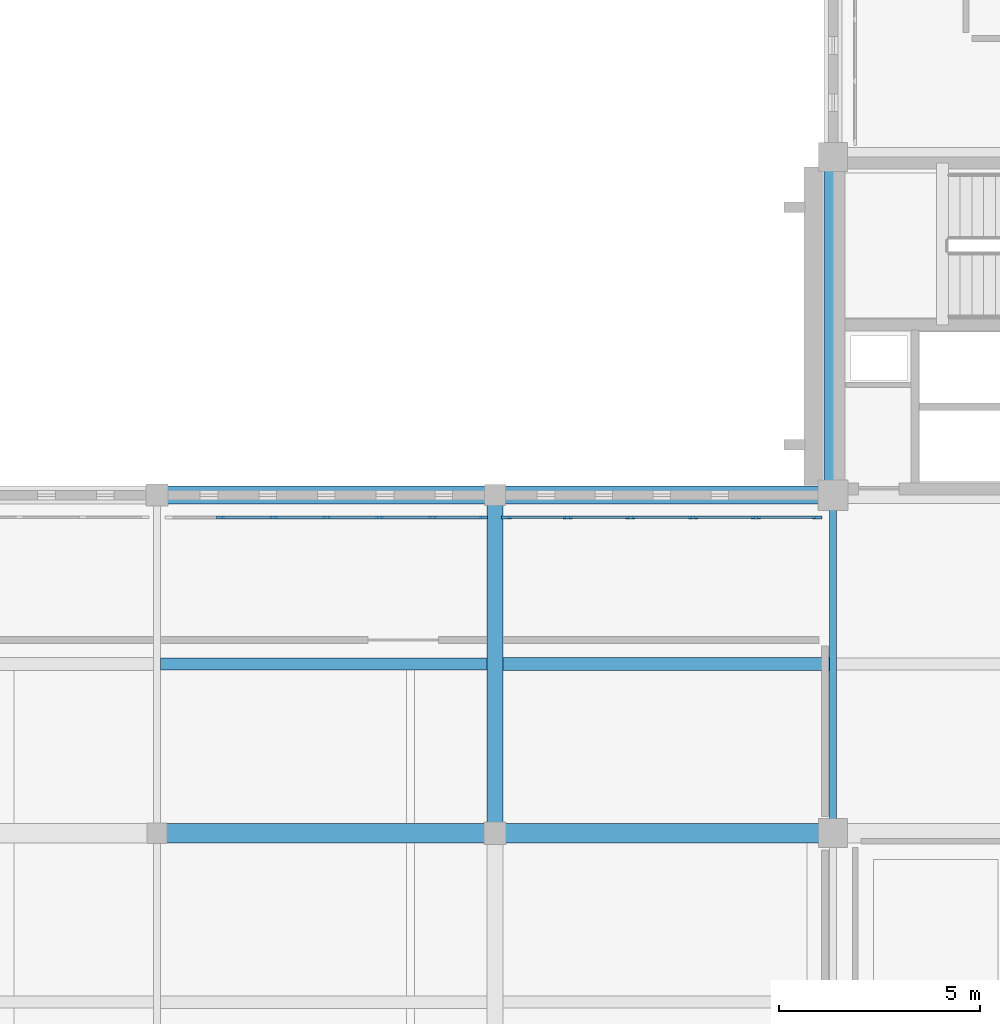
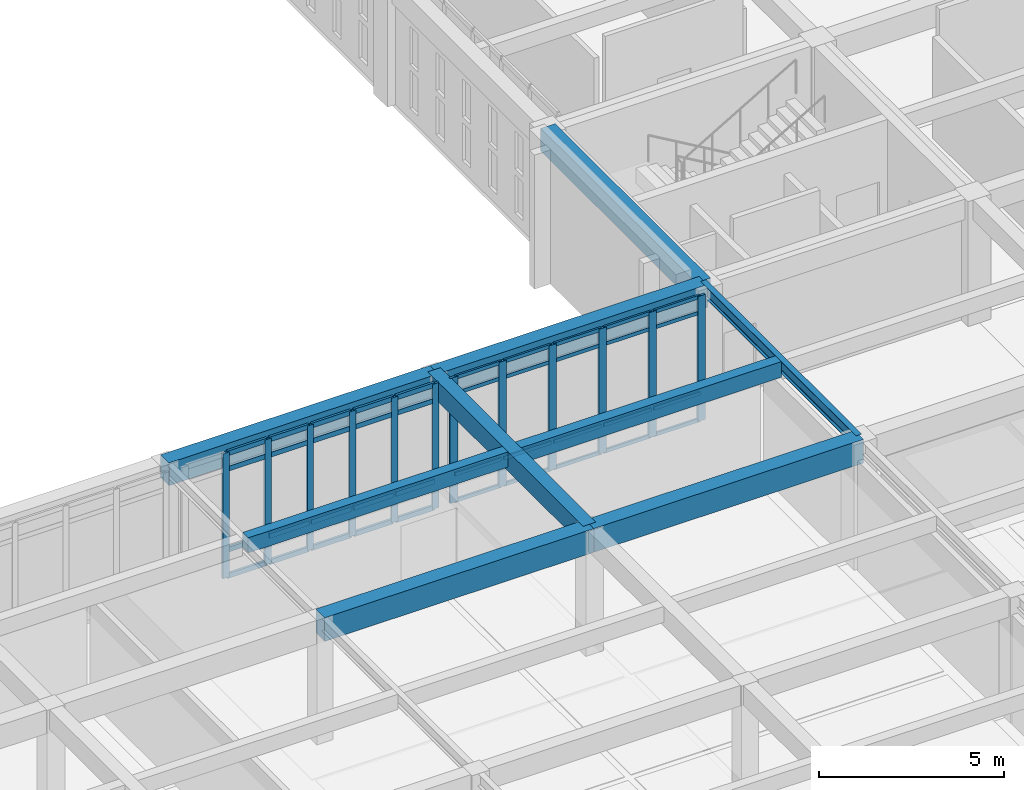
# One storey, part 63 of 192: 52 members, 9 beams, 2 elements without a shape of their own.
"""IFC4 building model written with IfcOpenShell, lengths in metres."""

from ifc_helpers import new_model, si_unit, direction, frame, origin, origin_2d, place, context, subcontext, project, spatial, rectangle, i_section, extrude, material, layer, layer_set, material_profile, profile_set, type_object, element, aggregate, save


model = new_model("IFC4")

# Units and contexts
model_context = context("Model", 3, precision=1e-05, world=origin(), true_north=direction((0.0, 1.0)))
body_context = subcontext(model_context, "Body", "Model", "MODEL_VIEW")
ifc_project = project(units=[si_unit("LENGTHUNIT", "METRE"), si_unit("AREAUNIT", "SQUARE_METRE"), si_unit("VOLUMEUNIT", "CUBIC_METRE"), si_unit("PLANEANGLEUNIT", "RADIAN"), si_unit("MASSUNIT", "GRAM", prefix="KILO")], contexts=[model_context])

# Site, building, storey
site_placement = place(None, origin())
site = spatial("IfcSite", under=ifc_project, at=site_placement, CompositionType="ELEMENT")
building_placement = place(site_placement, origin())
building = spatial("IfcBuilding", under=site, at=building_placement, Name="Kveldsbrygga Polytechnic", CompositionType="ELEMENT")
storey_placement = place(building_placement, frame((0.0, 0.0, 5.43994140625)))
storey = spatial("IfcBuildingStorey", under=building, at=storey_placement, Name="L01", CompositionType="ELEMENT", Elevation=5.43994140625)

# Beams
ifc_material_1 = material(Name="Concrete C35/45", Category="concrete")
ifc_material_profile_1 = material_profile(ifc_material_1, rectangle(XDim=0.39990234375, YDim=0.64990234375, at=origin_2d()), Name="RC 400x650")
ifc_profile_set_1 = profile_set([ifc_material_profile_1], Name="Concrete C35/45")
beam_type_1 = type_object("IfcBeamType", Name="BM-RC-400x650", PredefinedType="BEAM", material=ifc_profile_set_1)
beam_1_placement = place(storey_placement, frame((117.60009765625, 16.800048828125, 3.795166015625), z_axis=(0.0, 1.0, 0.0), x_axis=(-1.0, 0.0, 0.0)))
element("IfcBeam", 1, at=beam_1_placement, inside=storey, type_object=beam_type_1, Name="Primary Beam BMY-L01-14-02to03", PredefinedType="BEAM", context=body_context, shape_type="SweptSolid", body=[
    extrude(rectangle(XDim=0.39990234375, YDim=0.64990234375, at=origin_2d()), origin(), (0.0, 0.0, 1.0), 8.39990234375),
])
ifc_material_profile_2 = material_profile(ifc_material_1, rectangle(XDim=0.449951171875, YDim=0.75, at=origin_2d()), Name="RC 450x750")
ifc_profile_set_2 = profile_set([ifc_material_profile_2], Name="Concrete C35/45")
beam_type_2 = type_object("IfcBeamType", Name="BM-RC-450x750", PredefinedType="BEAM", material=ifc_profile_set_2)
beam_2_placement = place(storey_placement, frame((109.199951171875, 25.199951171875, 3.7451171875), z_axis=(1.0, 0.0, 0.0), x_axis=(0.0, 1.0, 0.0)))
element("IfcBeam", 2, at=beam_2_placement, inside=storey, type_object=beam_type_2, Name="Primary Beam BMX-L01-13to14-03", PredefinedType="BEAM", context=body_context, shape_type="SweptSolid", body=[
    extrude(rectangle(XDim=0.449951171875, YDim=0.75, at=origin_2d()), origin(), (0.0, 0.0, 1.0), 8.400146484375),
])
beam_3_placement = place(storey_placement, frame((117.60009765625, 25.199951171875, 3.7451171875), z_axis=(1.0, 0.0, 0.0), x_axis=(0.0, 1.0, 0.0)))
element("IfcBeam", 3, at=beam_3_placement, inside=storey, type_object=beam_type_2, Name="Primary Beam BMX-L01-14to15-03", PredefinedType="BEAM", context=body_context, shape_type="SweptSolid", body=[
    extrude(rectangle(XDim=0.449951171875, YDim=0.75, at=origin_2d()), origin(), (0.0, 0.0, 1.0), 8.39990234375),
])
beam_4_placement = place(storey_placement, frame((126.0, 25.199951171875, 3.7451171875), z_axis=(0.0, 1.0, 0.0), x_axis=(-1.0, 0.0, 0.0)))
element("IfcBeam", 4, at=beam_4_placement, inside=storey, type_object=beam_type_2, Name="Primary Beam BMY-L01-15-03to04", PredefinedType="BEAM", context=body_context, shape_type="SweptSolid", body=[
    extrude(rectangle(XDim=0.449951171875, YDim=0.75, at=origin_2d()), origin(), (0.0, 0.0, 1.0), 8.400146484375),
])
ifc_material_profile_3 = material_profile(ifc_material_1, rectangle(XDim=0.47998046875, YDim=0.780029296875, at=origin_2d()), Name="RC 480x780")
ifc_profile_set_3 = profile_set([ifc_material_profile_3], Name="Concrete C35/45")
beam_type_3 = type_object("IfcBeamType", Name="BM-RC-480x780", PredefinedType="BEAM", material=ifc_profile_set_3)
beam_5_placement = place(storey_placement, frame((109.199951171875, 16.800048828125, 3.72998046875), z_axis=(1.0, 0.0, 0.0), x_axis=(0.0, 1.0, 0.0)))
element("IfcBeam", 5, at=beam_5_placement, inside=storey, type_object=beam_type_3, Name="Primary Beam BMX-L01-13to14-02", PredefinedType="BEAM", context=body_context, shape_type="SweptSolid", body=[
    extrude(rectangle(XDim=0.47998046875, YDim=0.780029296875, at=origin_2d()), origin(), (0.0, 0.0, 1.0), 8.400146484375),
])
beam_6_placement = place(storey_placement, frame((117.60009765625, 16.800048828125, 3.72998046875), z_axis=(1.0, 0.0, 0.0), x_axis=(0.0, 1.0, 0.0)))
element("IfcBeam", 6, at=beam_6_placement, inside=storey, type_object=beam_type_3, Name="Primary Beam BMX-L01-14to15-02", PredefinedType="BEAM", context=body_context, shape_type="SweptSolid", body=[
    extrude(rectangle(XDim=0.47998046875, YDim=0.780029296875, at=origin_2d()), origin(), (0.0, 0.0, 1.0), 8.39990234375),
])
ifc_material_2 = material(Name="Steel S355", Category="steel")
ifc_material_profile_4 = material_profile(ifc_material_2, i_section(OverallWidth=0.179931640625, OverallDepth=0.39990234375, WebThickness=0.008544921875, FlangeThickness=0.013427734375, FilletRadius=0.02099609375, at=origin_2d()), Name="IPE 400")
ifc_profile_set_4 = profile_set([ifc_material_profile_4], Name="Steel S355")
beam_type_4 = type_object("IfcBeamType", Name="BM-STL-IPE400", PredefinedType="BEAM", material=ifc_profile_set_4)
beam_7_placement = place(storey_placement, frame((126.0, 16.800048828125, 3.920166015625), z_axis=(0.0, 1.0, 0.0), x_axis=(-1.0, 0.0, 0.0)))
element("IfcBeam", 7, at=beam_7_placement, inside=storey, type_object=beam_type_4, Name="Primary Beam BMY-L01-15-02to03", PredefinedType="BEAM", context=body_context, shape_type="SweptSolid", body=[
    extrude(i_section(OverallWidth=0.179931640625, OverallDepth=0.39990234375, WebThickness=0.008544921875, FlangeThickness=0.013427734375, FilletRadius=0.02099609375, at=origin_2d()), origin(), (0.0, 0.0, 1.0), 8.39990234375),
])

# Curtain wall, members
ifc_material_3 = material(Name="Anodised aluminium AW-6060", Category="aluminium")
ifc_layer_1 = layer(ifc_material_3, 0.159912109375)
ifc_layer_set_1 = layer_set([ifc_layer_1], Name="Anodised aluminium AW-6060")
curtain_wall_type_1 = type_object("IfcCurtainWallType", Name="CW-CLER-C", PredefinedType="USERDEFINED", material=ifc_layer_set_1)
curtain_wall_1_placement = place(storey_placement, origin())
curtain_wall_1 = element("IfcCurtainWall", 8, at=curtain_wall_1_placement, inside=storey, type_object=curtain_wall_type_1, Name="Curtain Wall CW-L01-X-13-03", ObjectType="STICK CURTAIN WALL", PredefinedType="USERDEFINED")
ifc_material_profile_5 = material_profile(ifc_material_3, rectangle(XDim=0.074951171875, YDim=0.199951171875, at=origin_2d()), Name="ALU 75x200")
ifc_profile_set_5 = profile_set([ifc_material_profile_5], Name="Anodised aluminium AW-6060")
member_type_1 = type_object("IfcMemberType", Name="CW-MUL-200", PredefinedType="MULLION", material=ifc_profile_set_5)
member_1_placement = place(storey_placement, frame((110.77587890625, 24.64990234375, 0.0), z_axis=(0.0, 0.0, 1.0), x_axis=(0.0, 1.0, 0.0)))
member_1 = element("IfcMember", 9, at=member_1_placement, type_object=member_type_1, Name="CW-03 mullion 2", PredefinedType="MULLION", context=body_context, shape_type="SweptSolid", body=[
    extrude(rectangle(XDim=0.074951171875, YDim=0.199951171875, at=origin_2d()), origin(), (0.0, 0.0, 1.0), 4.1201171875),
])
member_2_placement = place(storey_placement, frame((112.091552734375, 24.64990234375, 0.0), z_axis=(0.0, 0.0, 1.0), x_axis=(0.0, 1.0, 0.0)))
member_2 = element("IfcMember", 10, at=member_2_placement, type_object=member_type_1, Name="CW-03 mullion 3", PredefinedType="MULLION", context=body_context, shape_type="SweptSolid", body=[
    extrude(rectangle(XDim=0.074951171875, YDim=0.199951171875, at=origin_2d()), origin(), (0.0, 0.0, 1.0), 4.1201171875),
])
member_3_placement = place(storey_placement, frame((113.407470703125, 24.64990234375, 0.0), z_axis=(0.0, 0.0, 1.0), x_axis=(0.0, 1.0, 0.0)))
member_3 = element("IfcMember", 11, at=member_3_placement, type_object=member_type_1, Name="CW-03 mullion 4", PredefinedType="MULLION", context=body_context, shape_type="SweptSolid", body=[
    extrude(rectangle(XDim=0.074951171875, YDim=0.199951171875, at=origin_2d()), origin(), (0.0, 0.0, 1.0), 4.1201171875),
])
member_4_placement = place(storey_placement, frame((114.723388671875, 24.64990234375, 0.0), z_axis=(0.0, 0.0, 1.0), x_axis=(0.0, 1.0, 0.0)))
member_4 = element("IfcMember", 12, at=member_4_placement, type_object=member_type_1, Name="CW-03 mullion 5", PredefinedType="MULLION", context=body_context, shape_type="SweptSolid", body=[
    extrude(rectangle(XDim=0.074951171875, YDim=0.199951171875, at=origin_2d()), origin(), (0.0, 0.0, 1.0), 4.1201171875),
])
member_5_placement = place(storey_placement, frame((116.0390625, 24.64990234375, 0.0), z_axis=(0.0, 0.0, 1.0), x_axis=(0.0, 1.0, 0.0)))
member_5 = element("IfcMember", 13, at=member_5_placement, type_object=member_type_1, Name="CW-03 mullion 6", PredefinedType="MULLION", context=body_context, shape_type="SweptSolid", body=[
    extrude(rectangle(XDim=0.074951171875, YDim=0.199951171875, at=origin_2d()), origin(), (0.0, 0.0, 1.0), 4.1201171875),
])
member_6_placement = place(storey_placement, frame((117.3173828125, 24.64990234375, 0.0), z_axis=(0.0, 0.0, 1.0), x_axis=(0.0, 1.0, 0.0)))
member_6 = element("IfcMember", 14, at=member_6_placement, type_object=member_type_1, Name="CW-03 mullion 7", PredefinedType="MULLION", context=body_context, shape_type="SweptSolid", body=[
    extrude(rectangle(XDim=0.074951171875, YDim=0.199951171875, at=origin_2d()), origin(), (0.0, 0.0, 1.0), 4.1201171875),
])

ifc_layer_2 = layer(ifc_material_3, 0.179931640625)
ifc_layer_set_2 = layer_set([ifc_layer_2], Name="Anodised aluminium AW-6060")
curtain_wall_type_2 = type_object("IfcCurtainWallType", Name="CW-LANC-D", PredefinedType="USERDEFINED", material=ifc_layer_set_2)
curtain_wall_2_placement = place(storey_placement, origin())
curtain_wall_2 = element("IfcCurtainWall", 15, at=curtain_wall_2_placement, inside=storey, type_object=curtain_wall_type_2, Name="Curtain Wall CW-L01-X-14-03", ObjectType="UNITISED CURTAIN WALL", PredefinedType="USERDEFINED")
ifc_material_profile_6 = material_profile(ifc_material_3, rectangle(XDim=0.074951171875, YDim=0.239990234375, at=origin_2d()), Name="ALU 75x240")
ifc_profile_set_6 = profile_set([ifc_material_profile_6], Name="Anodised aluminium AW-6060")
member_type_2 = type_object("IfcMemberType", Name="CW-MUL-240", PredefinedType="MULLION", material=ifc_profile_set_6)
member_7_placement = place(storey_placement, frame((117.882568359375, 24.64990234375, 0.0), z_axis=(0.0, 0.0, 1.0), x_axis=(0.0, 1.0, 0.0)))
member_7 = element("IfcMember", 16, at=member_7_placement, type_object=member_type_2, Name="CW-04 mullion 1", PredefinedType="MULLION", context=body_context, shape_type="SweptSolid", body=[
    extrude(rectangle(XDim=0.074951171875, YDim=0.239990234375, at=origin_2d()), origin(), (0.0, 0.0, 1.0), 4.1201171875),
])
member_8_placement = place(storey_placement, frame((119.404052734375, 24.64990234375, 0.0), z_axis=(0.0, 0.0, 1.0), x_axis=(0.0, 1.0, 0.0)))
member_8 = element("IfcMember", 17, at=member_8_placement, type_object=member_type_2, Name="CW-04 mullion 2", PredefinedType="MULLION", context=body_context, shape_type="SweptSolid", body=[
    extrude(rectangle(XDim=0.074951171875, YDim=0.239990234375, at=origin_2d()), origin(), (0.0, 0.0, 1.0), 4.1201171875),
])
member_9_placement = place(storey_placement, frame((120.962890625, 24.64990234375, 0.0), z_axis=(0.0, 0.0, 1.0), x_axis=(0.0, 1.0, 0.0)))
member_9 = element("IfcMember", 18, at=member_9_placement, type_object=member_type_2, Name="CW-04 mullion 3", PredefinedType="MULLION", context=body_context, shape_type="SweptSolid", body=[
    extrude(rectangle(XDim=0.074951171875, YDim=0.239990234375, at=origin_2d()), origin(), (0.0, 0.0, 1.0), 4.1201171875),
])
member_10_placement = place(storey_placement, frame((122.52197265625, 24.64990234375, 0.0), z_axis=(0.0, 0.0, 1.0), x_axis=(0.0, 1.0, 0.0)))
member_10 = element("IfcMember", 19, at=member_10_placement, type_object=member_type_2, Name="CW-04 mullion 4", PredefinedType="MULLION", context=body_context, shape_type="SweptSolid", body=[
    extrude(rectangle(XDim=0.074951171875, YDim=0.239990234375, at=origin_2d()), origin(), (0.0, 0.0, 1.0), 4.1201171875),
])
member_11_placement = place(storey_placement, frame((124.0810546875, 24.64990234375, 0.0), z_axis=(0.0, 0.0, 1.0), x_axis=(0.0, 1.0, 0.0)))
member_11 = element("IfcMember", 20, at=member_11_placement, type_object=member_type_2, Name="CW-04 mullion 5", PredefinedType="MULLION", context=body_context, shape_type="SweptSolid", body=[
    extrude(rectangle(XDim=0.074951171875, YDim=0.239990234375, at=origin_2d()), origin(), (0.0, 0.0, 1.0), 4.1201171875),
])
member_12_placement = place(storey_placement, frame((125.6025390625, 24.64990234375, 0.0), z_axis=(0.0, 0.0, 1.0), x_axis=(0.0, 1.0, 0.0)))
member_12 = element("IfcMember", 21, at=member_12_placement, type_object=member_type_2, Name="CW-04 mullion 6", PredefinedType="MULLION", context=body_context, shape_type="SweptSolid", body=[
    extrude(rectangle(XDim=0.074951171875, YDim=0.239990234375, at=origin_2d()), origin(), (0.0, 0.0, 1.0), 4.1201171875),
])
ifc_material_profile_7 = material_profile(ifc_material_3, rectangle(XDim=0.06005859375, YDim=0.1201171875, at=origin_2d()), Name="ALU 60x120")
ifc_profile_set_7 = profile_set([ifc_material_profile_7], Name="Anodised aluminium AW-6060")
member_type_3 = type_object("IfcMemberType", Name="CW-TRN-120", PredefinedType="USERDEFINED", material=ifc_profile_set_7)
member_13_placement = place(storey_placement, frame((117.919921875, 24.64990234375, 0.030029296875), z_axis=(1.0, 0.0, 0.0), x_axis=(0.0, 1.0, 0.0)))
member_13 = element("IfcMember", 22, at=member_13_placement, type_object=member_type_3, Name="CW-04 transom 1.1", ObjectType="TRANSOM", PredefinedType="USERDEFINED", context=body_context, shape_type="SweptSolid", body=[
    extrude(rectangle(XDim=0.06005859375, YDim=0.1201171875, at=origin_2d()), origin(), (0.0, 0.0, 1.0), 1.446533203125),
])
member_14_placement = place(storey_placement, frame((117.919921875, 24.64990234375, 0.900146484375), z_axis=(1.0, 0.0, 0.0), x_axis=(0.0, 1.0, 0.0)))
member_14 = element("IfcMember", 23, at=member_14_placement, type_object=member_type_3, Name="CW-04 transom 1.2", ObjectType="TRANSOM", PredefinedType="USERDEFINED", context=body_context, shape_type="SweptSolid", body=[
    extrude(rectangle(XDim=0.06005859375, YDim=0.1201171875, at=origin_2d()), origin(), (0.0, 0.0, 1.0), 1.446533203125),
])
member_15_placement = place(storey_placement, frame((117.919921875, 24.64990234375, 3.570068359375), z_axis=(1.0, 0.0, 0.0), x_axis=(0.0, 1.0, 0.0)))
member_15 = element("IfcMember", 24, at=member_15_placement, type_object=member_type_3, Name="CW-04 transom 1.3", ObjectType="TRANSOM", PredefinedType="USERDEFINED", context=body_context, shape_type="SweptSolid", body=[
    extrude(rectangle(XDim=0.06005859375, YDim=0.1201171875, at=origin_2d()), origin(), (0.0, 0.0, 1.0), 1.446533203125),
])
member_16_placement = place(storey_placement, frame((117.919921875, 24.64990234375, 4.090087890625), z_axis=(1.0, 0.0, 0.0), x_axis=(0.0, 1.0, 0.0)))
member_16 = element("IfcMember", 25, at=member_16_placement, type_object=member_type_3, Name="CW-04 transom 1.4", ObjectType="TRANSOM", PredefinedType="USERDEFINED", context=body_context, shape_type="SweptSolid", body=[
    extrude(rectangle(XDim=0.06005859375, YDim=0.1201171875, at=origin_2d()), origin(), (0.0, 0.0, 1.0), 1.446533203125),
])
member_17_placement = place(storey_placement, frame((119.44140625, 24.64990234375, 0.030029296875), z_axis=(1.0, 0.0, 0.0), x_axis=(0.0, 1.0, 0.0)))
member_17 = element("IfcMember", 26, at=member_17_placement, type_object=member_type_3, Name="CW-04 transom 2.1", ObjectType="TRANSOM", PredefinedType="USERDEFINED", context=body_context, shape_type="SweptSolid", body=[
    extrude(rectangle(XDim=0.06005859375, YDim=0.1201171875, at=origin_2d()), origin(), (0.0, 0.0, 1.0), 1.484130859375),
])
member_18_placement = place(storey_placement, frame((119.44140625, 24.64990234375, 0.900146484375), z_axis=(1.0, 0.0, 0.0), x_axis=(0.0, 1.0, 0.0)))
member_18 = element("IfcMember", 27, at=member_18_placement, type_object=member_type_3, Name="CW-04 transom 2.2", ObjectType="TRANSOM", PredefinedType="USERDEFINED", context=body_context, shape_type="SweptSolid", body=[
    extrude(rectangle(XDim=0.06005859375, YDim=0.1201171875, at=origin_2d()), origin(), (0.0, 0.0, 1.0), 1.484130859375),
])
member_19_placement = place(storey_placement, frame((119.44140625, 24.64990234375, 3.570068359375), z_axis=(1.0, 0.0, 0.0), x_axis=(0.0, 1.0, 0.0)))
member_19 = element("IfcMember", 28, at=member_19_placement, type_object=member_type_3, Name="CW-04 transom 2.3", ObjectType="TRANSOM", PredefinedType="USERDEFINED", context=body_context, shape_type="SweptSolid", body=[
    extrude(rectangle(XDim=0.06005859375, YDim=0.1201171875, at=origin_2d()), origin(), (0.0, 0.0, 1.0), 1.484130859375),
])
member_20_placement = place(storey_placement, frame((119.44140625, 24.64990234375, 4.090087890625), z_axis=(1.0, 0.0, 0.0), x_axis=(0.0, 1.0, 0.0)))
member_20 = element("IfcMember", 29, at=member_20_placement, type_object=member_type_3, Name="CW-04 transom 2.4", ObjectType="TRANSOM", PredefinedType="USERDEFINED", context=body_context, shape_type="SweptSolid", body=[
    extrude(rectangle(XDim=0.06005859375, YDim=0.1201171875, at=origin_2d()), origin(), (0.0, 0.0, 1.0), 1.484130859375),
])
member_21_placement = place(storey_placement, frame((121.00048828125, 24.64990234375, 0.030029296875), z_axis=(1.0, 0.0, 0.0), x_axis=(0.0, 1.0, 0.0)))
member_21 = element("IfcMember", 30, at=member_21_placement, type_object=member_type_3, Name="CW-04 transom 3.1", ObjectType="TRANSOM", PredefinedType="USERDEFINED", context=body_context, shape_type="SweptSolid", body=[
    extrude(rectangle(XDim=0.06005859375, YDim=0.1201171875, at=origin_2d()), origin(), (0.0, 0.0, 1.0), 1.484130859375),
])
member_22_placement = place(storey_placement, frame((121.00048828125, 24.64990234375, 0.900146484375), z_axis=(1.0, 0.0, 0.0), x_axis=(0.0, 1.0, 0.0)))
member_22 = element("IfcMember", 31, at=member_22_placement, type_object=member_type_3, Name="CW-04 transom 3.2", ObjectType="TRANSOM", PredefinedType="USERDEFINED", context=body_context, shape_type="SweptSolid", body=[
    extrude(rectangle(XDim=0.06005859375, YDim=0.1201171875, at=origin_2d()), origin(), (0.0, 0.0, 1.0), 1.484130859375),
])
member_23_placement = place(storey_placement, frame((121.00048828125, 24.64990234375, 3.570068359375), z_axis=(1.0, 0.0, 0.0), x_axis=(0.0, 1.0, 0.0)))
member_23 = element("IfcMember", 32, at=member_23_placement, type_object=member_type_3, Name="CW-04 transom 3.3", ObjectType="TRANSOM", PredefinedType="USERDEFINED", context=body_context, shape_type="SweptSolid", body=[
    extrude(rectangle(XDim=0.06005859375, YDim=0.1201171875, at=origin_2d()), origin(), (0.0, 0.0, 1.0), 1.484130859375),
])
member_24_placement = place(storey_placement, frame((121.00048828125, 24.64990234375, 4.090087890625), z_axis=(1.0, 0.0, 0.0), x_axis=(0.0, 1.0, 0.0)))
member_24 = element("IfcMember", 33, at=member_24_placement, type_object=member_type_3, Name="CW-04 transom 3.4", ObjectType="TRANSOM", PredefinedType="USERDEFINED", context=body_context, shape_type="SweptSolid", body=[
    extrude(rectangle(XDim=0.06005859375, YDim=0.1201171875, at=origin_2d()), origin(), (0.0, 0.0, 1.0), 1.484130859375),
])
member_25_placement = place(storey_placement, frame((122.5595703125, 24.64990234375, 0.030029296875), z_axis=(1.0, 0.0, 0.0), x_axis=(0.0, 1.0, 0.0)))
member_25 = element("IfcMember", 34, at=member_25_placement, type_object=member_type_3, Name="CW-04 transom 4.1", ObjectType="TRANSOM", PredefinedType="USERDEFINED", context=body_context, shape_type="SweptSolid", body=[
    extrude(rectangle(XDim=0.06005859375, YDim=0.1201171875, at=origin_2d()), origin(), (0.0, 0.0, 1.0), 1.48388671875),
])
member_26_placement = place(storey_placement, frame((122.5595703125, 24.64990234375, 0.900146484375), z_axis=(1.0, 0.0, 0.0), x_axis=(0.0, 1.0, 0.0)))
member_26 = element("IfcMember", 35, at=member_26_placement, type_object=member_type_3, Name="CW-04 transom 4.2", ObjectType="TRANSOM", PredefinedType="USERDEFINED", context=body_context, shape_type="SweptSolid", body=[
    extrude(rectangle(XDim=0.06005859375, YDim=0.1201171875, at=origin_2d()), origin(), (0.0, 0.0, 1.0), 1.48388671875),
])
member_27_placement = place(storey_placement, frame((122.5595703125, 24.64990234375, 3.570068359375), z_axis=(1.0, 0.0, 0.0), x_axis=(0.0, 1.0, 0.0)))
member_27 = element("IfcMember", 36, at=member_27_placement, type_object=member_type_3, Name="CW-04 transom 4.3", ObjectType="TRANSOM", PredefinedType="USERDEFINED", context=body_context, shape_type="SweptSolid", body=[
    extrude(rectangle(XDim=0.06005859375, YDim=0.1201171875, at=origin_2d()), origin(), (0.0, 0.0, 1.0), 1.48388671875),
])
member_28_placement = place(storey_placement, frame((122.5595703125, 24.64990234375, 4.090087890625), z_axis=(1.0, 0.0, 0.0), x_axis=(0.0, 1.0, 0.0)))
member_28 = element("IfcMember", 37, at=member_28_placement, type_object=member_type_3, Name="CW-04 transom 4.4", ObjectType="TRANSOM", PredefinedType="USERDEFINED", context=body_context, shape_type="SweptSolid", body=[
    extrude(rectangle(XDim=0.06005859375, YDim=0.1201171875, at=origin_2d()), origin(), (0.0, 0.0, 1.0), 1.48388671875),
])
member_29_placement = place(storey_placement, frame((124.118408203125, 24.64990234375, 0.030029296875), z_axis=(1.0, 0.0, 0.0), x_axis=(0.0, 1.0, 0.0)))
member_29 = element("IfcMember", 38, at=member_29_placement, type_object=member_type_3, Name="CW-04 transom 5.1", ObjectType="TRANSOM", PredefinedType="USERDEFINED", context=body_context, shape_type="SweptSolid", body=[
    extrude(rectangle(XDim=0.06005859375, YDim=0.1201171875, at=origin_2d()), origin(), (0.0, 0.0, 1.0), 1.446533203125),
])
member_30_placement = place(storey_placement, frame((124.118408203125, 24.64990234375, 0.900146484375), z_axis=(1.0, 0.0, 0.0), x_axis=(0.0, 1.0, 0.0)))
member_30 = element("IfcMember", 39, at=member_30_placement, type_object=member_type_3, Name="CW-04 transom 5.2", ObjectType="TRANSOM", PredefinedType="USERDEFINED", context=body_context, shape_type="SweptSolid", body=[
    extrude(rectangle(XDim=0.06005859375, YDim=0.1201171875, at=origin_2d()), origin(), (0.0, 0.0, 1.0), 1.446533203125),
])
member_31_placement = place(storey_placement, frame((124.118408203125, 24.64990234375, 3.570068359375), z_axis=(1.0, 0.0, 0.0), x_axis=(0.0, 1.0, 0.0)))
member_31 = element("IfcMember", 40, at=member_31_placement, type_object=member_type_3, Name="CW-04 transom 5.3", ObjectType="TRANSOM", PredefinedType="USERDEFINED", context=body_context, shape_type="SweptSolid", body=[
    extrude(rectangle(XDim=0.06005859375, YDim=0.1201171875, at=origin_2d()), origin(), (0.0, 0.0, 1.0), 1.446533203125),
])
member_32_placement = place(storey_placement, frame((124.118408203125, 24.64990234375, 4.090087890625), z_axis=(1.0, 0.0, 0.0), x_axis=(0.0, 1.0, 0.0)))
member_32 = element("IfcMember", 41, at=member_32_placement, type_object=member_type_3, Name="CW-04 transom 5.4", ObjectType="TRANSOM", PredefinedType="USERDEFINED", context=body_context, shape_type="SweptSolid", body=[
    extrude(rectangle(XDim=0.06005859375, YDim=0.1201171875, at=origin_2d()), origin(), (0.0, 0.0, 1.0), 1.446533203125),
])
aggregate(curtain_wall_2, [member_7, member_8, member_9, member_10, member_11, member_12, member_13, member_14, member_15, member_16, member_17, member_18, member_19, member_20, member_21, member_22, member_23, member_24, member_25, member_26, member_27, member_28, member_29, member_30, member_31, member_32])

# Member
ifc_material_profile_8 = material_profile(ifc_material_3, rectangle(XDim=0.074951171875, YDim=0.159912109375, at=origin_2d()), Name="ALU 75x160")
ifc_profile_set_8 = profile_set([ifc_material_profile_8], Name="Anodised aluminium AW-6060")
member_type_4 = type_object("IfcMemberType", Name="CW-TRN-160", PredefinedType="USERDEFINED", material=ifc_profile_set_8)
member_33_placement = place(storey_placement, frame((110.813232421875, 24.64990234375, 0.03759765625), z_axis=(1.0, 0.0, 0.0), x_axis=(0.0, 1.0, 0.0)))
member_33 = element("IfcMember", 42, at=member_33_placement, type_object=member_type_4, Name="CW-03 transom 2.1", ObjectType="TRANSOM", PredefinedType="USERDEFINED", context=body_context, shape_type="SweptSolid", body=[
    extrude(rectangle(XDim=0.074951171875, YDim=0.159912109375, at=origin_2d()), origin(), (0.0, 0.0, 1.0), 1.240966796875),
])

member_34_placement = place(storey_placement, frame((110.813232421875, 24.64990234375, 0.900146484375), z_axis=(1.0, 0.0, 0.0), x_axis=(0.0, 1.0, 0.0)))
member_34 = element("IfcMember", 43, at=member_34_placement, type_object=member_type_4, Name="CW-03 transom 2.2", ObjectType="TRANSOM", PredefinedType="USERDEFINED", context=body_context, shape_type="SweptSolid", body=[
    extrude(rectangle(XDim=0.074951171875, YDim=0.159912109375, at=origin_2d()), origin(), (0.0, 0.0, 1.0), 1.240966796875),
])

member_35_placement = place(storey_placement, frame((110.813232421875, 24.64990234375, 3.570068359375), z_axis=(1.0, 0.0, 0.0), x_axis=(0.0, 1.0, 0.0)))
member_35 = element("IfcMember", 44, at=member_35_placement, type_object=member_type_4, Name="CW-03 transom 2.3", ObjectType="TRANSOM", PredefinedType="USERDEFINED", context=body_context, shape_type="SweptSolid", body=[
    extrude(rectangle(XDim=0.074951171875, YDim=0.159912109375, at=origin_2d()), origin(), (0.0, 0.0, 1.0), 1.240966796875),
])

member_36_placement = place(storey_placement, frame((110.813232421875, 24.64990234375, 4.08251953125), z_axis=(1.0, 0.0, 0.0), x_axis=(0.0, 1.0, 0.0)))
member_36 = element("IfcMember", 45, at=member_36_placement, type_object=member_type_4, Name="CW-03 transom 2.4", ObjectType="TRANSOM", PredefinedType="USERDEFINED", context=body_context, shape_type="SweptSolid", body=[
    extrude(rectangle(XDim=0.074951171875, YDim=0.159912109375, at=origin_2d()), origin(), (0.0, 0.0, 1.0), 1.240966796875),
])

member_37_placement = place(storey_placement, frame((112.129150390625, 24.64990234375, 0.03759765625), z_axis=(1.0, 0.0, 0.0), x_axis=(0.0, 1.0, 0.0)))
member_37 = element("IfcMember", 46, at=member_37_placement, type_object=member_type_4, Name="CW-03 transom 3.1", ObjectType="TRANSOM", PredefinedType="USERDEFINED", context=body_context, shape_type="SweptSolid", body=[
    extrude(rectangle(XDim=0.074951171875, YDim=0.159912109375, at=origin_2d()), origin(), (0.0, 0.0, 1.0), 1.240966796875),
])

member_38_placement = place(storey_placement, frame((112.129150390625, 24.64990234375, 0.900146484375), z_axis=(1.0, 0.0, 0.0), x_axis=(0.0, 1.0, 0.0)))
member_38 = element("IfcMember", 47, at=member_38_placement, type_object=member_type_4, Name="CW-03 transom 3.2", ObjectType="TRANSOM", PredefinedType="USERDEFINED", context=body_context, shape_type="SweptSolid", body=[
    extrude(rectangle(XDim=0.074951171875, YDim=0.159912109375, at=origin_2d()), origin(), (0.0, 0.0, 1.0), 1.240966796875),
])

member_39_placement = place(storey_placement, frame((112.129150390625, 24.64990234375, 3.570068359375), z_axis=(1.0, 0.0, 0.0), x_axis=(0.0, 1.0, 0.0)))
member_39 = element("IfcMember", 48, at=member_39_placement, type_object=member_type_4, Name="CW-03 transom 3.3", ObjectType="TRANSOM", PredefinedType="USERDEFINED", context=body_context, shape_type="SweptSolid", body=[
    extrude(rectangle(XDim=0.074951171875, YDim=0.159912109375, at=origin_2d()), origin(), (0.0, 0.0, 1.0), 1.240966796875),
])

member_40_placement = place(storey_placement, frame((112.129150390625, 24.64990234375, 4.08251953125), z_axis=(1.0, 0.0, 0.0), x_axis=(0.0, 1.0, 0.0)))
member_40 = element("IfcMember", 49, at=member_40_placement, type_object=member_type_4, Name="CW-03 transom 3.4", ObjectType="TRANSOM", PredefinedType="USERDEFINED", context=body_context, shape_type="SweptSolid", body=[
    extrude(rectangle(XDim=0.074951171875, YDim=0.159912109375, at=origin_2d()), origin(), (0.0, 0.0, 1.0), 1.240966796875),
])

member_41_placement = place(storey_placement, frame((113.445068359375, 24.64990234375, 0.03759765625), z_axis=(1.0, 0.0, 0.0), x_axis=(0.0, 1.0, 0.0)))
member_41 = element("IfcMember", 50, at=member_41_placement, type_object=member_type_4, Name="CW-03 transom 4.1", ObjectType="TRANSOM", PredefinedType="USERDEFINED", context=body_context, shape_type="SweptSolid", body=[
    extrude(rectangle(XDim=0.074951171875, YDim=0.159912109375, at=origin_2d()), origin(), (0.0, 0.0, 1.0), 1.24072265625),
])

member_42_placement = place(storey_placement, frame((113.445068359375, 24.64990234375, 0.900146484375), z_axis=(1.0, 0.0, 0.0), x_axis=(0.0, 1.0, 0.0)))
member_42 = element("IfcMember", 51, at=member_42_placement, type_object=member_type_4, Name="CW-03 transom 4.2", ObjectType="TRANSOM", PredefinedType="USERDEFINED", context=body_context, shape_type="SweptSolid", body=[
    extrude(rectangle(XDim=0.074951171875, YDim=0.159912109375, at=origin_2d()), origin(), (0.0, 0.0, 1.0), 1.24072265625),
])

member_43_placement = place(storey_placement, frame((113.445068359375, 24.64990234375, 3.570068359375), z_axis=(1.0, 0.0, 0.0), x_axis=(0.0, 1.0, 0.0)))
member_43 = element("IfcMember", 52, at=member_43_placement, type_object=member_type_4, Name="CW-03 transom 4.3", ObjectType="TRANSOM", PredefinedType="USERDEFINED", context=body_context, shape_type="SweptSolid", body=[
    extrude(rectangle(XDim=0.074951171875, YDim=0.159912109375, at=origin_2d()), origin(), (0.0, 0.0, 1.0), 1.24072265625),
])

member_44_placement = place(storey_placement, frame((113.445068359375, 24.64990234375, 4.08251953125), z_axis=(1.0, 0.0, 0.0), x_axis=(0.0, 1.0, 0.0)))
member_44 = element("IfcMember", 53, at=member_44_placement, type_object=member_type_4, Name="CW-03 transom 4.4", ObjectType="TRANSOM", PredefinedType="USERDEFINED", context=body_context, shape_type="SweptSolid", body=[
    extrude(rectangle(XDim=0.074951171875, YDim=0.159912109375, at=origin_2d()), origin(), (0.0, 0.0, 1.0), 1.24072265625),
])

member_45_placement = place(storey_placement, frame((114.7607421875, 24.64990234375, 0.03759765625), z_axis=(1.0, 0.0, 0.0), x_axis=(0.0, 1.0, 0.0)))
member_45 = element("IfcMember", 54, at=member_45_placement, type_object=member_type_4, Name="CW-03 transom 5.1", ObjectType="TRANSOM", PredefinedType="USERDEFINED", context=body_context, shape_type="SweptSolid", body=[
    extrude(rectangle(XDim=0.074951171875, YDim=0.159912109375, at=origin_2d()), origin(), (0.0, 0.0, 1.0), 1.240966796875),
])

member_46_placement = place(storey_placement, frame((114.7607421875, 24.64990234375, 0.900146484375), z_axis=(1.0, 0.0, 0.0), x_axis=(0.0, 1.0, 0.0)))
member_46 = element("IfcMember", 55, at=member_46_placement, type_object=member_type_4, Name="CW-03 transom 5.2", ObjectType="TRANSOM", PredefinedType="USERDEFINED", context=body_context, shape_type="SweptSolid", body=[
    extrude(rectangle(XDim=0.074951171875, YDim=0.159912109375, at=origin_2d()), origin(), (0.0, 0.0, 1.0), 1.240966796875),
])

member_47_placement = place(storey_placement, frame((114.7607421875, 24.64990234375, 3.570068359375), z_axis=(1.0, 0.0, 0.0), x_axis=(0.0, 1.0, 0.0)))
member_47 = element("IfcMember", 56, at=member_47_placement, type_object=member_type_4, Name="CW-03 transom 5.3", ObjectType="TRANSOM", PredefinedType="USERDEFINED", context=body_context, shape_type="SweptSolid", body=[
    extrude(rectangle(XDim=0.074951171875, YDim=0.159912109375, at=origin_2d()), origin(), (0.0, 0.0, 1.0), 1.240966796875),
])

member_48_placement = place(storey_placement, frame((114.7607421875, 24.64990234375, 4.08251953125), z_axis=(1.0, 0.0, 0.0), x_axis=(0.0, 1.0, 0.0)))
member_48 = element("IfcMember", 57, at=member_48_placement, type_object=member_type_4, Name="CW-03 transom 5.4", ObjectType="TRANSOM", PredefinedType="USERDEFINED", context=body_context, shape_type="SweptSolid", body=[
    extrude(rectangle(XDim=0.074951171875, YDim=0.159912109375, at=origin_2d()), origin(), (0.0, 0.0, 1.0), 1.240966796875),
])

member_49_placement = place(storey_placement, frame((116.07666015625, 24.64990234375, 0.03759765625), z_axis=(1.0, 0.0, 0.0), x_axis=(0.0, 1.0, 0.0)))
member_49 = element("IfcMember", 58, at=member_49_placement, type_object=member_type_4, Name="CW-03 transom 6.1", ObjectType="TRANSOM", PredefinedType="USERDEFINED", context=body_context, shape_type="SweptSolid", body=[
    extrude(rectangle(XDim=0.074951171875, YDim=0.159912109375, at=origin_2d()), origin(), (0.0, 0.0, 1.0), 1.203369140625),
])

member_50_placement = place(storey_placement, frame((116.07666015625, 24.64990234375, 0.900146484375), z_axis=(1.0, 0.0, 0.0), x_axis=(0.0, 1.0, 0.0)))
member_50 = element("IfcMember", 59, at=member_50_placement, type_object=member_type_4, Name="CW-03 transom 6.2", ObjectType="TRANSOM", PredefinedType="USERDEFINED", context=body_context, shape_type="SweptSolid", body=[
    extrude(rectangle(XDim=0.074951171875, YDim=0.159912109375, at=origin_2d()), origin(), (0.0, 0.0, 1.0), 1.203369140625),
])

member_51_placement = place(storey_placement, frame((116.07666015625, 24.64990234375, 3.570068359375), z_axis=(1.0, 0.0, 0.0), x_axis=(0.0, 1.0, 0.0)))
member_51 = element("IfcMember", 60, at=member_51_placement, type_object=member_type_4, Name="CW-03 transom 6.3", ObjectType="TRANSOM", PredefinedType="USERDEFINED", context=body_context, shape_type="SweptSolid", body=[
    extrude(rectangle(XDim=0.074951171875, YDim=0.159912109375, at=origin_2d()), origin(), (0.0, 0.0, 1.0), 1.203369140625),
])

member_52_placement = place(storey_placement, frame((116.07666015625, 24.64990234375, 4.08251953125), z_axis=(1.0, 0.0, 0.0), x_axis=(0.0, 1.0, 0.0)))
member_52 = element("IfcMember", 61, at=member_52_placement, type_object=member_type_4, Name="CW-03 transom 6.4", ObjectType="TRANSOM", PredefinedType="USERDEFINED", context=body_context, shape_type="SweptSolid", body=[
    extrude(rectangle(XDim=0.074951171875, YDim=0.159912109375, at=origin_2d()), origin(), (0.0, 0.0, 1.0), 1.203369140625),
])

aggregate(curtain_wall_1, [member_1, member_2, member_3, member_4, member_5, member_6, member_33, member_34, member_35, member_36, member_37, member_38, member_39, member_40, member_41, member_42, member_43, member_44, member_45, member_46, member_47, member_48, member_49, member_50, member_51, member_52])

# Beams
ifc_material_profile_9 = material_profile(ifc_material_1, rectangle(XDim=0.300048828125, YDim=0.5, at=origin_2d()), Name="RC 300x500")
ifc_profile_set_9 = profile_set([ifc_material_profile_9], Name="Concrete C35/45")
beam_type_5 = type_object("IfcBeamType", Name="JST-RC-300x500", PredefinedType="JOIST", material=ifc_profile_set_9)
beam_8_placement = place(storey_placement, frame((109.2900390625, 21.0, 3.8701171875), z_axis=(1.0, 0.0, 0.0), x_axis=(0.0, 1.0, 0.0)))
element("IfcBeam", 62, at=beam_8_placement, inside=storey, type_object=beam_type_5, Name="Secondary Joist JST-L01-13-02", PredefinedType="JOIST", context=body_context, shape_type="SweptSolid", body=[
    extrude(rectangle(XDim=0.300048828125, YDim=0.5, at=origin_2d()), origin(), (0.0, 0.0, 1.0), 8.10986328125),
])
ifc_material_profile_10 = material_profile(ifc_material_1, rectangle(XDim=0.320068359375, YDim=0.52001953125, at=origin_2d()), Name="RC 320x520")
ifc_profile_set_10 = profile_set([ifc_material_profile_10], Name="Concrete C35/45")
beam_type_6 = type_object("IfcBeamType", Name="JST-RC-320x520", PredefinedType="JOIST", material=ifc_profile_set_10)
beam_9_placement = place(storey_placement, frame((117.800048828125, 21.0, 3.860107421875), z_axis=(1.0, 0.0, 0.0), x_axis=(0.0, 1.0, 0.0)))
element("IfcBeam", 63, at=beam_9_placement, inside=storey, type_object=beam_type_6, Name="Secondary Joist JST-L01-14-02", PredefinedType="JOIST", context=body_context, shape_type="SweptSolid", body=[
    extrude(rectangle(XDim=0.320068359375, YDim=0.52001953125, at=origin_2d()), origin(), (0.0, 0.0, 1.0), 8.10986328125),
])

save(model, "model.ifc")
